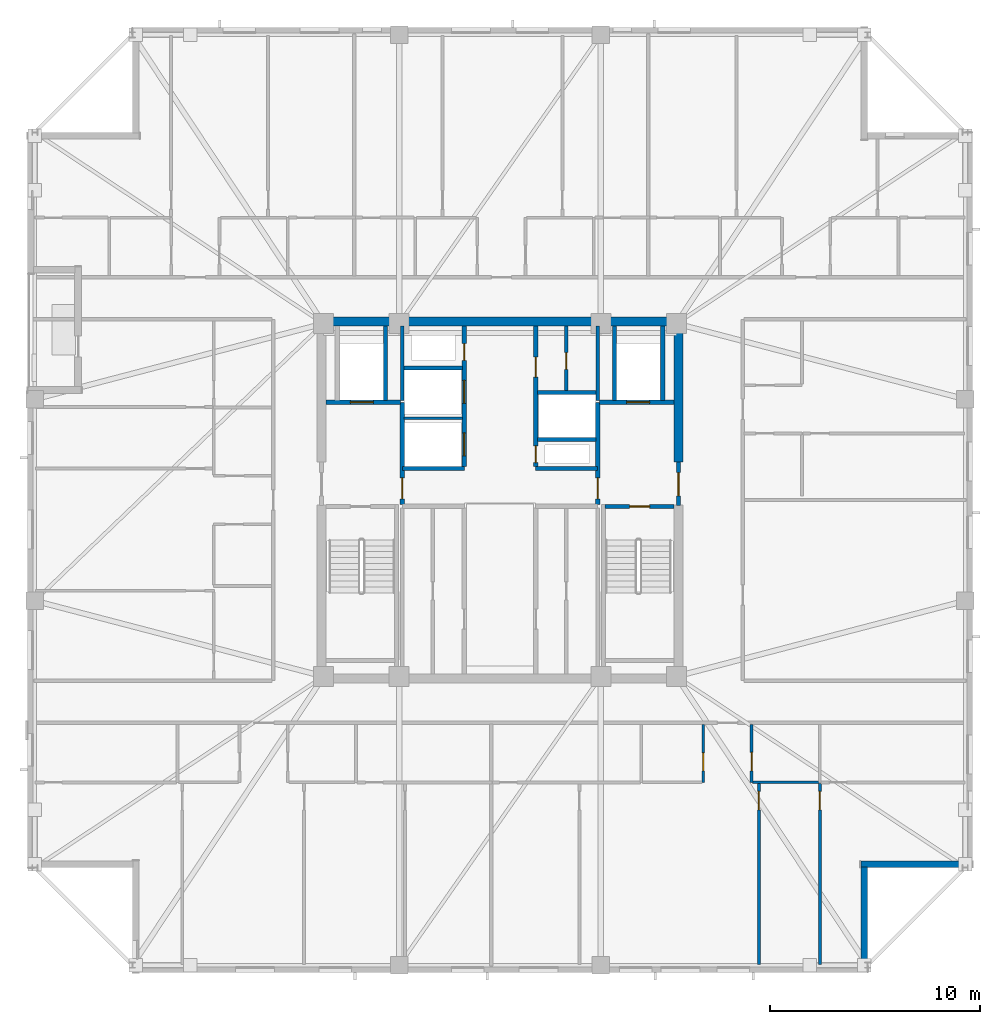
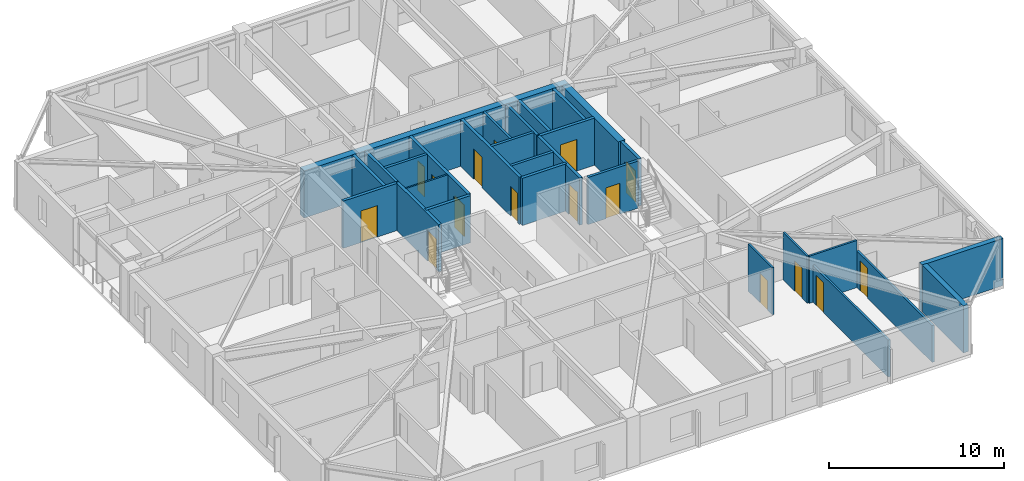
# One storey, part 9 of 17: 29 walls, 16 doors, 16 openings.
"""IFC4 building model written with IfcOpenShell, lengths in metres."""

from ifc_helpers import new_model, si_unit, direction, frame, frame_2d, origin, place, context, subcontext, project, spatial, rectangle, extrude, material, layer, layer_set, type_object, element, fill, save


model = new_model("IFC4")

# Units and contexts
model_context = context("Model", 3, precision=1e-05, world=origin(), true_north=direction((0.0, 1.0)))
body_context = subcontext(model_context, "Body", "Model", "MODEL_VIEW")
ifc_project = project(units=[si_unit("LENGTHUNIT", "METRE"), si_unit("AREAUNIT", "SQUARE_METRE"), si_unit("VOLUMEUNIT", "CUBIC_METRE"), si_unit("PLANEANGLEUNIT", "RADIAN"), si_unit("MASSUNIT", "GRAM", prefix="KILO")], contexts=[model_context])

# Site, building, storey
site_placement = place(None, origin())
site = spatial("IfcSite", under=ifc_project, at=site_placement, CompositionType="ELEMENT")
building_placement = place(site_placement, origin())
building = spatial("IfcBuilding", under=site, at=building_placement, Name="Cairnveth Concourse Tower", CompositionType="ELEMENT")
storey_placement = place(building_placement, frame((0.0, 0.0, 227.0)))
storey = spatial("IfcBuildingStorey", under=building, at=storey_placement, Name="L62", CompositionType="ELEMENT", Elevation=227.0)

# Wall, opening, door
ifc_material_1 = material(Name="Gypsum Plasterboard Partition", Category="gypsum")
ifc_layer_1 = layer(ifc_material_1, 0.159912109375)
ifc_layer_set_1 = layer_set([ifc_layer_1], Name="Gypsum Plasterboard Partition")
wall_type_1 = type_object("IfcWallType", Name="ACOUSTIC PARTY WALL 180", PredefinedType="PARTITIONING", material=ifc_layer_set_1)
wall_1_placement = place(storey_placement, frame((55.14990234375, 44.195068359375, 0.0), z_axis=(0.0, 0.0, 1.0), x_axis=(0.0, 1.0, 0.0)))
wall_1 = element("IfcWall", 1, at=wall_1_placement, inside=storey, type_object=wall_type_1, Name="Interior Wall IW-L62-035", PredefinedType="PARTITIONING", context=body_context, shape_type="SweptSolid", body=[
    extrude(rectangle(XDim=3.094970703125, YDim=0.159912109375, at=frame_2d((1.54736328125, 0.0))), origin(), (0.0, 0.0, 1.0), 3.2900390625),
])
opening_1_placement = place(wall_1_placement, frame((1.02490234375, 0.0, 0.0)))
opening_1 = element("IfcOpeningElement", 2, at=opening_1_placement, cuts=wall_1, Name="Opening ID23", PredefinedType="OPENING", context=body_context, shape_type="SweptSolid", body=[
    extrude(rectangle(XDim=0.800048828125, YDim=2.10009765625, at=frame_2d((0.39990234375, 1.050048828125))), frame((0.0, 0.08984375, 0.0), z_axis=(0.0, -1.0, 0.0), x_axis=(1.0, 0.0, 0.0)), (0.0, 0.0, 1.0), 0.179931640625),
])
ifc_material_2 = material(Name="Steel Grade 350", Category="steel")
door_type_1 = type_object("IfcDoorType", Name="CORE SERVICE DOOR 800X2100", OperationType="NOTDEFINED", PredefinedType="DOOR", material=ifc_material_2)
door_1_placement = place(opening_1_placement, origin())
door_1 = element("IfcDoor", 3, at=door_1_placement, inside=storey, type_object=door_type_1, Name="NE Linen Closet Door L62", OperationType="SINGLE_SWING_RIGHT", OverallHeight=2.10009765625, OverallWidth=0.800048828125, PredefinedType="DOOR", context=body_context, shape_type="SweptSolid", body=[
    extrude(rectangle(XDim=0.800048828125, YDim=2.10009765625, at=frame_2d((0.39990234375, 1.050048828125))), frame((0.0, 0.02490234375, 0.0), z_axis=(0.0, -1.0, 0.0), x_axis=(1.0, 0.0, 0.0)), (0.0, 0.0, 1.0), 0.050048828125),
])
fill(opening_1, door_1)

# Walls
ifc_material_3 = material(Name="Concrete N65 (65 MPa)", Category="concrete")
ifc_layer_2 = layer(ifc_material_3, 0.449951171875)
ifc_layer_set_2 = layer_set([ifc_layer_2], Name="Concrete N65 (65 MPa)")
wall_type_2 = type_object("IfcWallType", Name="CORE SHEAR WALL 450", PredefinedType="SHEAR", material=ifc_layer_set_2)
wall_2_placement = place(storey_placement, frame((43.27490234375, 47.5, 0.0), z_axis=(0.0, 0.0, 1.0), x_axis=(1.0, 0.0, 0.0)))
element("IfcWall", 4, at=wall_2_placement, inside=storey, type_object=wall_type_2, Name="Core North Shear Wall L62", PredefinedType="SHEAR", context=body_context, shape_type="SweptSolid", body=[
    extrude(rectangle(XDim=17.4501953125, YDim=0.449951171875, at=frame_2d((8.72509765625, 0.0))), origin(), (0.0, 0.0, 1.0), 3.2900390625),
])
wall_3_placement = place(storey_placement, frame((60.5, 40.800048828125, 0.0), z_axis=(0.0, 0.0, 1.0), x_axis=(0.0, 1.0, 0.0)))
element("IfcWall", 5, at=wall_3_placement, inside=storey, type_object=wall_type_2, Name="Core East Shear Wall N L62", PredefinedType="SHEAR", context=body_context, shape_type="SweptSolid", body=[
    extrude(rectangle(XDim=6.48486328125, YDim=0.449951171875, at=frame_2d((3.242431640625, 0.0))), origin(), (0.0, 0.0, 1.0), 3.2900390625),
])
ifc_material_4 = material(Name="Concrete N50 (50 MPa)", Category="concrete")
ifc_layer_3 = layer(ifc_material_4, 0.179931640625)
ifc_layer_set_3 = layer_set([ifc_layer_3], Name="Concrete N50 (50 MPa)")
wall_type_3 = type_object("IfcWallType", Name="FIRE SHAFT WALL 180", PredefinedType="SOLIDWALL", material=ifc_layer_set_3)
wall_4_placement = place(storey_placement, frame((47.35009765625, 43.735107421875, 0.0), z_axis=(0.0, 0.0, 1.0), x_axis=(0.0, 1.0, 0.0)))
element("IfcWall", 6, at=wall_4_placement, inside=storey, type_object=wall_type_3, Name="Interior Wall IW-L62-029", PredefinedType="SOLIDWALL", context=body_context, shape_type="SweptSolid", body=[
    extrude(rectangle(XDim=3.554931640625, YDim=0.179931640625, at=frame_2d((1.77734375, 0.0))), origin(), (0.0, 0.0, 1.0), 3.2900390625),
])
wall_5_placement = place(storey_placement, frame((47.425048828125, 45.280029296875, 0.0), z_axis=(0.0, 0.0, 1.0), x_axis=(1.0, 0.0, 0.0)))
element("IfcWall", 7, at=wall_5_placement, inside=storey, type_object=wall_type_3, Name="Interior Wall IW-L62-031", PredefinedType="SOLIDWALL", context=body_context, shape_type="SweptSolid", body=[
    extrude(rectangle(XDim=2.7900390625, YDim=0.179931640625, at=frame_2d((1.39501953125, 0.0))), origin(), (0.0, 0.0, 1.0), 3.2900390625),
])
wall_6_placement = place(storey_placement, frame((56.64990234375, 43.735107421875, 0.0), z_axis=(0.0, 0.0, 1.0), x_axis=(0.0, 1.0, 0.0)))
element("IfcWall", 8, at=wall_6_placement, inside=storey, type_object=wall_type_3, Name="Interior Wall IW-L62-032", PredefinedType="SOLIDWALL", context=body_context, shape_type="SweptSolid", body=[
    extrude(rectangle(XDim=3.554931640625, YDim=0.179931640625, at=frame_2d((1.77734375, 0.0))), origin(), (0.0, 0.0, 1.0), 3.2900390625),
])
wall_7_placement = place(storey_placement, frame((53.784912109375, 41.8798828125, 0.0), z_axis=(0.0, 0.0, 1.0), x_axis=(1.0, 0.0, 0.0)))
element("IfcWall", 9, at=wall_7_placement, inside=storey, type_object=wall_type_3, Name="Interior Wall IW-L62-033", PredefinedType="SOLIDWALL", context=body_context, shape_type="SweptSolid", body=[
    extrude(rectangle(XDim=2.780029296875, YDim=0.179931640625, at=frame_2d((1.39013671875, 0.0))), origin(), (0.0, 0.0, 1.0), 3.2900390625),
])
wall_8_placement = place(storey_placement, frame((53.784912109375, 44.1201171875, 0.0), z_axis=(0.0, 0.0, 1.0), x_axis=(1.0, 0.0, 0.0)))
element("IfcWall", 10, at=wall_8_placement, inside=storey, type_object=wall_type_3, Name="Interior Wall IW-L62-034", PredefinedType="SOLIDWALL", context=body_context, shape_type="SweptSolid", body=[
    extrude(rectangle(XDim=2.7900390625, YDim=0.179931640625, at=frame_2d((1.39501953125, 0.0))), origin(), (0.0, 0.0, 1.0), 3.2900390625),
])

# Wall, opening, door
wall_9_placement = place(storey_placement, frame((57.0048828125, 38.68994140625, 0.0), z_axis=(0.0, 0.0, 1.0), x_axis=(1.0, 0.0, 0.0)))
wall_9 = element("IfcWall", 11, at=wall_9_placement, inside=storey, type_object=wall_type_3, Name="Stair ST-2 Shaft Wall NEAR L62", PredefinedType="SOLIDWALL", context=body_context, shape_type="SweptSolid", body=[
    extrude(rectangle(XDim=3.280029296875, YDim=0.179931640625, at=frame_2d((1.64013671875, 0.0))), origin(), (0.0, 0.0, 1.0), 3.2900390625),
])
opening_2_placement = place(wall_9_placement, frame((1.1650390625, 0.0, 0.0)))
opening_2 = element("IfcOpeningElement", 12, at=opening_2_placement, cuts=wall_9, Name="Opening ID12", PredefinedType="OPENING", context=body_context, shape_type="SweptSolid", body=[
    extrude(rectangle(XDim=0.949951171875, YDim=2.14990234375, at=frame_2d((0.47509765625, 1.074951171875))), frame((0.0, 0.099853515625, 0.0), z_axis=(0.0, -1.0, 0.0), x_axis=(1.0, 0.0, 0.0)), (0.0, 0.0, 1.0), 0.199951171875),
])
door_type_2 = type_object("IfcDoorType", Name="FIRE STAIR DOOR 950X2150", OperationType="NOTDEFINED", PredefinedType="DOOR", material=ifc_material_2)
door_2_placement = place(opening_2_placement, origin())
door_2 = element("IfcDoor", 13, at=door_2_placement, inside=storey, type_object=door_type_2, Name="Stair ST-2 Fire Door L62", OperationType="SINGLE_SWING_RIGHT", OverallHeight=2.14990234375, OverallWidth=0.949951171875, PredefinedType="DOOR", context=body_context, shape_type="SweptSolid", body=[
    extrude(rectangle(XDim=0.949951171875, YDim=2.14990234375, at=frame_2d((0.47509765625, 1.074951171875))), frame((0.0, 0.02490234375, 0.0), z_axis=(0.0, -1.0, 0.0), x_axis=(1.0, 0.0, 0.0)), (0.0, 0.0, 1.0), 0.050048828125),
])
fill(opening_2, door_2)

# Walls
ifc_layer_4 = layer(ifc_material_4, 0.199951171875)
ifc_layer_set_4 = layer_set([ifc_layer_4], Name="Concrete N50 (50 MPa)")
wall_type_4 = type_object("IfcWallType", Name="FIRE SHAFT WALL 200", PredefinedType="SOLIDWALL", material=ifc_layer_set_4)
for number, where, z_axis, x_axis, name in (
    (14, (47.35009765625, 40.5, 0.0), (0.0, 0.0, 1.0), (1.0, 0.0, 0.0), "Interior Wall IW-L62-008"),
    (15, (53.699951171875, 40.5, 0.0), (0.0, 0.0, 1.0), (1.0, 0.0, 0.0), "Interior Wall IW-L62-010"),
):
    element("IfcWall", number, at=place(storey_placement, frame(where, z_axis=z_axis, x_axis=x_axis)), inside=storey, type_object=wall_type_4, Name=name, PredefinedType="SOLIDWALL", context=body_context, shape_type="SweptSolid", body=[
        extrude(rectangle(XDim=2.949951171875, YDim=0.199951171875, at=frame_2d((1.47509765625, 0.0))), origin(), (0.0, 0.0, 1.0), 3.2900390625),
    ])

# Wall, openings, doors
wall_10_placement = place(storey_placement, frame((50.300048828125, 40.5849609375, 0.0), z_axis=(0.0, 0.0, 1.0), x_axis=(0.0, 1.0, 0.0)))
wall_10 = element("IfcWall", 16, at=wall_10_placement, inside=storey, type_object=wall_type_4, Name="Interior Wall IW-L62-013", PredefinedType="SOLIDWALL", context=body_context, shape_type="SweptSolid", body=[
    extrude(rectangle(XDim=6.705078125, YDim=0.199951171875, at=frame_2d((3.3525390625, 0.0))), origin(), (0.0, 0.0, 1.0), 3.2900390625),
])
opening_3_placement = place(wall_10_placement, frame((0.514892578125, 0.0, 0.0)))
opening_3 = element("IfcOpeningElement", 17, at=opening_3_placement, cuts=wall_10, Name="Opening LD-1", PredefinedType="OPENING", context=body_context, shape_type="SweptSolid", body=[
    extrude(rectangle(XDim=1.10009765625, YDim=2.199951171875, at=frame_2d((0.550048828125, 1.10009765625))), frame((0.0, 0.10986328125, 0.0), z_axis=(0.0, -1.0, 0.0), x_axis=(1.0, 0.0, 0.0)), (0.0, 0.0, 1.0), 0.219970703125),
])
opening_4_placement = place(wall_10_placement, frame((3.014892578125, 0.0, 0.0)))
opening_4 = element("IfcOpeningElement", 18, at=opening_4_placement, cuts=wall_10, Name="Opening LD-1", PredefinedType="OPENING", context=body_context, shape_type="SweptSolid", body=[
    extrude(rectangle(XDim=1.10009765625, YDim=2.199951171875, at=frame_2d((0.550048828125, 1.10009765625))), frame((0.0, 0.10986328125, 0.0), z_axis=(0.0, -1.0, 0.0), x_axis=(1.0, 0.0, 0.0)), (0.0, 0.0, 1.0), 0.219970703125),
])
opening_5_placement = place(wall_10_placement, frame((5.06494140625, 0.0, 0.0)))
opening_5 = element("IfcOpeningElement", 19, at=opening_5_placement, cuts=wall_10, Name="Opening ID24", PredefinedType="OPENING", context=body_context, shape_type="SweptSolid", body=[
    extrude(rectangle(XDim=0.800048828125, YDim=2.080078125, at=frame_2d((0.39990234375, 1.0400390625))), frame((0.0, 0.10986328125, 0.0), z_axis=(0.0, -1.0, 0.0), x_axis=(1.0, 0.0, 0.0)), (0.0, 0.0, 1.0), 0.219970703125),
])
ifc_material_5 = material(Name="Architectural Bronze Anodised Aluminium 6063-T6", Category="aluminium")
door_type_3 = type_object("IfcDoorType", Name="LIFT LANDING DOOR 1100X2200", OperationType="SLIDING_TO_LEFT", PredefinedType="DOOR", material=ifc_material_5)
door_3_placement = place(opening_3_placement, origin())
door_3 = element("IfcDoor", 20, at=door_3_placement, inside=storey, type_object=door_type_3, Name="Lift PL7 Landing Door L62", OperationType="SLIDING_TO_LEFT", OverallHeight=2.199951171875, OverallWidth=1.10009765625, PredefinedType="DOOR", context=body_context, shape_type="SweptSolid", body=[
    extrude(rectangle(XDim=1.10009765625, YDim=2.199951171875, at=frame_2d((0.550048828125, 1.10009765625))), frame((0.0, 0.02490234375, 0.0), z_axis=(0.0, -1.0, 0.0), x_axis=(1.0, 0.0, 0.0)), (0.0, 0.0, 1.0), 0.050048828125),
])
fill(opening_3, door_3)
door_4_placement = place(opening_4_placement, origin())
door_4 = element("IfcDoor", 21, at=door_4_placement, inside=storey, type_object=door_type_3, Name="Lift PL8 Landing Door L62", OperationType="SLIDING_TO_LEFT", OverallHeight=2.199951171875, OverallWidth=1.10009765625, PredefinedType="DOOR", context=body_context, shape_type="SweptSolid", body=[
    extrude(rectangle(XDim=1.10009765625, YDim=2.199951171875, at=frame_2d((0.550048828125, 1.10009765625))), frame((0.0, 0.02490234375, 0.0), z_axis=(0.0, -1.0, 0.0), x_axis=(1.0, 0.0, 0.0)), (0.0, 0.0, 1.0), 0.050048828125),
])
fill(opening_4, door_4)
door_type_4 = type_object("IfcDoorType", Name="RISER ACCESS DOOR 800X2100", OperationType="NOTDEFINED", PredefinedType="DOOR", material=ifc_material_2)
door_5_placement = place(opening_5_placement, origin())
door_5 = element("IfcDoor", 22, at=door_5_placement, inside=storey, type_object=door_type_4, Name="NW Electrical Riser Access Door L62", OperationType="SINGLE_SWING_LEFT", OverallHeight=2.080078125, OverallWidth=0.800048828125, PredefinedType="DOOR", context=body_context, shape_type="SweptSolid", body=[
    extrude(rectangle(XDim=0.800048828125, YDim=2.080078125, at=frame_2d((0.39990234375, 1.0400390625))), frame((0.0, 0.02490234375, 0.0), z_axis=(0.0, -1.0, 0.0), x_axis=(1.0, 0.0, 0.0)), (0.0, 0.0, 1.0), 0.050048828125),
])
fill(opening_5, door_5)

wall_11_placement = place(storey_placement, frame((53.699951171875, 40.5849609375, 0.0), z_axis=(0.0, 0.0, 1.0), x_axis=(0.0, 1.0, 0.0)))
wall_11 = element("IfcWall", 23, at=wall_11_placement, inside=storey, type_object=wall_type_4, Name="Interior Wall IW-L62-014", PredefinedType="SOLIDWALL", context=body_context, shape_type="SweptSolid", body=[
    extrude(rectangle(XDim=6.705078125, YDim=0.199951171875, at=frame_2d((3.3525390625, 0.0))), origin(), (0.0, 0.0, 1.0), 3.2900390625),
])
opening_6_placement = place(wall_11_placement, frame((0.195068359375, 0.0, 0.0)))
opening_6 = element("IfcOpeningElement", 24, at=opening_6_placement, cuts=wall_11, Name="Opening ID24", PredefinedType="OPENING", context=body_context, shape_type="SweptSolid", body=[
    extrude(rectangle(XDim=0.800048828125, YDim=2.080078125, at=frame_2d((0.39990234375, 1.0400390625))), frame((0.0, 0.10986328125, 0.0), z_axis=(0.0, -1.0, 0.0), x_axis=(1.0, 0.0, 0.0)), (0.0, 0.0, 1.0), 0.219970703125),
])
opening_7_placement = place(wall_11_placement, frame((4.264892578125, 0.0, 0.0)))
opening_7 = element("IfcOpeningElement", 25, at=opening_7_placement, cuts=wall_11, Name="Opening ID25", PredefinedType="OPENING", context=body_context, shape_type="SweptSolid", body=[
    extrude(rectangle(XDim=0.949951171875, YDim=2.1201171875, at=frame_2d((0.47509765625, 1.06005859375))), frame((0.0, 0.10986328125, 0.0), z_axis=(0.0, -1.0, 0.0), x_axis=(1.0, 0.0, 0.0)), (0.0, 0.0, 1.0), 0.219970703125),
])
door_type_5 = type_object("IfcDoorType", Name="CORE ACCESSIBLE FIRE DOOR 950X2120", OperationType="NOTDEFINED", PredefinedType="DOOR", material=ifc_material_2)
door_6_placement = place(opening_7_placement, origin())
door_6 = element("IfcDoor", 26, at=door_6_placement, inside=storey, type_object=door_type_5, Name="Core NE Restroom Door L62", OperationType="SINGLE_SWING_LEFT", OverallHeight=2.1201171875, OverallWidth=0.949951171875, PredefinedType="DOOR", context=body_context, shape_type="SweptSolid", body=[
    extrude(rectangle(XDim=0.949951171875, YDim=2.1201171875, at=frame_2d((0.47509765625, 1.06005859375))), frame((0.0, 0.02490234375, 0.0), z_axis=(0.0, -1.0, 0.0), x_axis=(1.0, 0.0, 0.0)), (0.0, 0.0, 1.0), 0.050048828125),
])
fill(opening_7, door_6)
door_7_placement = place(opening_6_placement, origin())
door_7 = element("IfcDoor", 27, at=door_7_placement, inside=storey, type_object=door_type_4, Name="Hydraulic Riser Door L62", OperationType="SINGLE_SWING_RIGHT", OverallHeight=2.080078125, OverallWidth=0.800048828125, PredefinedType="DOOR", context=body_context, shape_type="SweptSolid", body=[
    extrude(rectangle(XDim=0.800048828125, YDim=2.080078125, at=frame_2d((0.39990234375, 1.0400390625))), frame((0.0, 0.02490234375, 0.0), z_axis=(0.0, -1.0, 0.0), x_axis=(1.0, 0.0, 0.0)), (0.0, 0.0, 1.0), 0.050048828125),
])
fill(opening_6, door_7)

# Wall, opening, door
wall_12_placement = place(storey_placement, frame((47.35009765625, 38.784912109375, 0.0), z_axis=(0.0, 0.0, 1.0), x_axis=(0.0, 1.0, 0.0)))
wall_12 = element("IfcWall", 28, at=wall_12_placement, inside=storey, type_object=wall_type_4, Name="Interior Wall IW-L62-016", PredefinedType="SOLIDWALL", context=body_context, shape_type="SweptSolid", body=[
    extrude(rectangle(XDim=4.864990234375, YDim=0.199951171875, at=frame_2d((2.4326171875, 0.0))), origin(), (0.0, 0.0, 1.0), 3.2900390625),
])
opening_8_placement = place(wall_12_placement, frame((0.264892578125, 0.0, 0.0)))
opening_8 = element("IfcOpeningElement", 29, at=opening_8_placement, cuts=wall_12, Name="Opening ID07", PredefinedType="OPENING", context=body_context, shape_type="SweptSolid", body=[
    extrude(rectangle(XDim=1.0, YDim=2.14990234375, at=frame_2d((0.5, 1.074951171875))), frame((0.0, 0.10986328125, 0.0), z_axis=(0.0, -1.0, 0.0), x_axis=(1.0, 0.0, 0.0)), (0.0, 0.0, 1.0), 0.219970703125),
])
door_type_6 = type_object("IfcDoorType", Name="FIRE CORRIDOR DOOR 1000X2150", OperationType="NOTDEFINED", PredefinedType="DOOR", material=ifc_material_2)
door_8_placement = place(opening_8_placement, origin())
door_8 = element("IfcDoor", 30, at=door_8_placement, inside=storey, type_object=door_type_6, Name="FF Lobby West to Lift Lobby Door L62", OperationType="SINGLE_SWING_RIGHT", OverallHeight=2.14990234375, OverallWidth=1.0, PredefinedType="DOOR", context=body_context, shape_type="SweptSolid", body=[
    extrude(rectangle(XDim=1.0, YDim=2.14990234375, at=frame_2d((0.5, 1.074951171875))), frame((0.0, 0.02490234375, 0.0), z_axis=(0.0, -1.0, 0.0), x_axis=(1.0, 0.0, 0.0)), (0.0, 0.0, 1.0), 0.050048828125),
])
fill(opening_8, door_8)

wall_13_placement = place(storey_placement, frame((43.7099609375, 43.64990234375, 0.0), z_axis=(0.0, 0.0, 1.0), x_axis=(1.0, 0.0, 0.0)))
wall_13 = element("IfcWall", 31, at=wall_13_placement, inside=storey, type_object=wall_type_4, Name="Interior Wall IW-L62-017", PredefinedType="SOLIDWALL", context=body_context, shape_type="SweptSolid", body=[
    extrude(rectangle(XDim=3.554931640625, YDim=0.199951171875, at=frame_2d((1.77734375, 0.0))), origin(), (0.0, 0.0, 1.0), 3.2900390625),
])
opening_9_placement = place(wall_13_placement, frame((1.159912109375, 0.0, 0.0)))
opening_9 = element("IfcOpeningElement", 32, at=opening_9_placement, cuts=wall_13, Name="Opening LD-1", PredefinedType="OPENING", context=body_context, shape_type="SweptSolid", body=[
    extrude(rectangle(XDim=1.10009765625, YDim=2.199951171875, at=frame_2d((0.550048828125, 1.10009765625))), frame((0.0, 0.10986328125, 0.0), z_axis=(0.0, -1.0, 0.0), x_axis=(1.0, 0.0, 0.0)), (0.0, 0.0, 1.0), 0.219970703125),
])
door_9_placement = place(opening_9_placement, origin())
door_9 = element("IfcDoor", 33, at=door_9_placement, inside=storey, type_object=door_type_3, Name="Lift FFL1 Landing Door L62", OperationType="SLIDING_TO_LEFT", OverallHeight=2.199951171875, OverallWidth=1.10009765625, PredefinedType="DOOR", context=body_context, shape_type="SweptSolid", body=[
    extrude(rectangle(XDim=1.10009765625, YDim=2.199951171875, at=frame_2d((0.550048828125, 1.10009765625))), frame((0.0, 0.02490234375, 0.0), z_axis=(0.0, -1.0, 0.0), x_axis=(1.0, 0.0, 0.0)), (0.0, 0.0, 1.0), 0.050048828125),
])
fill(opening_9, door_9)

# Wall
wall_14_placement = place(storey_placement, frame((46.550048828125, 43.735107421875, 0.0), z_axis=(0.0, 0.0, 1.0), x_axis=(0.0, 1.0, 0.0)))
element("IfcWall", 34, at=wall_14_placement, inside=storey, type_object=wall_type_4, Name="Interior Wall IW-L62-018", PredefinedType="SOLIDWALL", context=body_context, shape_type="SweptSolid", body=[
    extrude(rectangle(XDim=3.554931640625, YDim=0.199951171875, at=frame_2d((1.77734375, 0.0))), origin(), (0.0, 0.0, 1.0), 3.2900390625),
])

# Wall, opening, door
wall_15_placement = place(storey_placement, frame((60.5, 38.75, 0.0), z_axis=(0.0, 0.0, 1.0), x_axis=(0.0, 1.0, 0.0)))
wall_15 = element("IfcWall", 35, at=wall_15_placement, inside=storey, type_object=wall_type_4, Name="Interior Wall IW-L62-020", PredefinedType="SOLIDWALL", context=body_context, shape_type="SweptSolid", body=[
    extrude(rectangle(XDim=2.050048828125, YDim=0.199951171875, at=frame_2d((1.02490234375, 0.0))), origin(), (0.0, 0.0, 1.0), 3.2900390625),
])
opening_10_placement = place(wall_15_placement, frame((0.449951171875, 0.0, 0.0)))
opening_10 = element("IfcOpeningElement", 36, at=opening_10_placement, cuts=wall_15, Name="Opening ID06", PredefinedType="OPENING", context=body_context, shape_type="SweptSolid", body=[
    extrude(rectangle(XDim=1.10009765625, YDim=2.14990234375, at=frame_2d((0.550048828125, 1.074951171875))), frame((0.0, 0.10986328125, 0.0), z_axis=(0.0, -1.0, 0.0), x_axis=(1.0, 0.0, 0.0)), (0.0, 0.0, 1.0), 0.219970703125),
])
door_type_7 = type_object("IfcDoorType", Name="FIRE CORRIDOR DOOR 1100X2150", OperationType="NOTDEFINED", PredefinedType="DOOR", material=ifc_material_2)
door_10_placement = place(opening_10_placement, origin())
door_10 = element("IfcDoor", 37, at=door_10_placement, inside=storey, type_object=door_type_7, Name="East Wing to FF Lobby Door L62", OperationType="SINGLE_SWING_RIGHT", OverallHeight=2.14990234375, OverallWidth=1.10009765625, PredefinedType="DOOR", context=body_context, shape_type="SweptSolid", body=[
    extrude(rectangle(XDim=1.10009765625, YDim=2.14990234375, at=frame_2d((0.550048828125, 1.074951171875))), frame((0.0, 0.02490234375, 0.0), z_axis=(0.0, -1.0, 0.0), x_axis=(1.0, 0.0, 0.0)), (0.0, 0.0, 1.0), 0.050048828125),
])
fill(opening_10, door_10)

wall_16_placement = place(storey_placement, frame((56.64990234375, 38.784912109375, 0.0), z_axis=(0.0, 0.0, 1.0), x_axis=(0.0, 1.0, 0.0)))
wall_16 = element("IfcWall", 38, at=wall_16_placement, inside=storey, type_object=wall_type_4, Name="Interior Wall IW-L62-021", PredefinedType="SOLIDWALL", context=body_context, shape_type="SweptSolid", body=[
    extrude(rectangle(XDim=4.864990234375, YDim=0.199951171875, at=frame_2d((2.4326171875, 0.0))), origin(), (0.0, 0.0, 1.0), 3.2900390625),
])
opening_11_placement = place(wall_16_placement, frame((0.264892578125, 0.0, 0.0)))
opening_11 = element("IfcOpeningElement", 39, at=opening_11_placement, cuts=wall_16, Name="Opening ID07", PredefinedType="OPENING", context=body_context, shape_type="SweptSolid", body=[
    extrude(rectangle(XDim=1.0, YDim=2.14990234375, at=frame_2d((0.5, 1.074951171875))), frame((0.0, 0.10986328125, 0.0), z_axis=(0.0, -1.0, 0.0), x_axis=(1.0, 0.0, 0.0)), (0.0, 0.0, 1.0), 0.219970703125),
])
door_11_placement = place(opening_11_placement, origin())
door_11 = element("IfcDoor", 40, at=door_11_placement, inside=storey, type_object=door_type_6, Name="FF Lobby East to Lift Lobby Door L62", OperationType="SINGLE_SWING_LEFT", OverallHeight=2.14990234375, OverallWidth=1.0, PredefinedType="DOOR", context=body_context, shape_type="SweptSolid", body=[
    extrude(rectangle(XDim=1.0, YDim=2.14990234375, at=frame_2d((0.5, 1.074951171875))), frame((0.0, 0.02490234375, 0.0), z_axis=(0.0, -1.0, 0.0), x_axis=(1.0, 0.0, 0.0)), (0.0, 0.0, 1.0), 0.050048828125),
])
fill(opening_11, door_11)

wall_17_placement = place(storey_placement, frame((56.735107421875, 43.64990234375, 0.0), z_axis=(0.0, 0.0, 1.0), x_axis=(1.0, 0.0, 0.0)))
wall_17 = element("IfcWall", 41, at=wall_17_placement, inside=storey, type_object=wall_type_4, Name="Interior Wall IW-L62-022", PredefinedType="SOLIDWALL", context=body_context, shape_type="SweptSolid", body=[
    extrude(rectangle(XDim=3.554931640625, YDim=0.199951171875, at=frame_2d((1.77734375, 0.0))), origin(), (0.0, 0.0, 1.0), 3.2900390625),
])
opening_12_placement = place(wall_17_placement, frame((1.294921875, 0.0, 0.0)))
opening_12 = element("IfcOpeningElement", 42, at=opening_12_placement, cuts=wall_17, Name="Opening LD-1", PredefinedType="OPENING", context=body_context, shape_type="SweptSolid", body=[
    extrude(rectangle(XDim=1.10009765625, YDim=2.199951171875, at=frame_2d((0.550048828125, 1.10009765625))), frame((0.0, 0.10986328125, 0.0), z_axis=(0.0, -1.0, 0.0), x_axis=(1.0, 0.0, 0.0)), (0.0, 0.0, 1.0), 0.219970703125),
])
door_12_placement = place(opening_12_placement, origin())
door_12 = element("IfcDoor", 43, at=door_12_placement, inside=storey, type_object=door_type_3, Name="Lift FFL2 Landing Door L62", OperationType="SLIDING_TO_LEFT", OverallHeight=2.199951171875, OverallWidth=1.10009765625, PredefinedType="DOOR", context=body_context, shape_type="SweptSolid", body=[
    extrude(rectangle(XDim=1.10009765625, YDim=2.199951171875, at=frame_2d((0.550048828125, 1.10009765625))), frame((0.0, 0.02490234375, 0.0), z_axis=(0.0, -1.0, 0.0), x_axis=(1.0, 0.0, 0.0)), (0.0, 0.0, 1.0), 0.050048828125),
])
fill(opening_12, door_12)

# Walls
for number, where, z_axis, x_axis, name in (
    (44, (57.449951171875, 43.735107421875, 0.0), (0.0, 0.0, 1.0), (0.0, 1.0, 0.0), "Interior Wall IW-L62-023"),
    (45, (59.75, 43.735107421875, 0.0), (0.0, 0.0, 1.0), (0.0, 1.0, 0.0), "Interior Wall IW-L62-024"),
):
    element("IfcWall", number, at=place(storey_placement, frame(where, z_axis=z_axis, x_axis=x_axis)), inside=storey, type_object=wall_type_4, Name=name, PredefinedType="SOLIDWALL", context=body_context, shape_type="SweptSolid", body=[
        extrude(rectangle(XDim=3.554931640625, YDim=0.199951171875, at=frame_2d((1.77734375, 0.0))), origin(), (0.0, 0.0, 1.0), 3.2900390625),
    ])

# Wall, opening, door
ifc_layer_5 = layer(ifc_material_1, 0.139892578125)
ifc_layer_set_5 = layer_set([ifc_layer_5], Name="Gypsum Plasterboard Partition")
wall_type_5 = type_object("IfcWallType", Name="GYPSUM STUD PARTITION 140", PredefinedType="PARTITIONING", material=ifc_layer_set_5)
wall_18_placement = place(storey_placement, frame((67.22998046875, 16.8798828125, 0.0), z_axis=(0.0, 0.0, 1.0), x_axis=(0.0, 1.0, 0.0)))
wall_18 = element("IfcWall", 46, at=wall_18_placement, inside=storey, type_object=wall_type_5, Name="Interior Wall IW-L62-064", PredefinedType="PARTITIONING", context=body_context, shape_type="SweptSolid", body=[
    extrude(rectangle(XDim=8.627685546875, YDim=0.139892578125, at=frame_2d((4.31396484375, 0.0))), origin(), (0.0, 0.0, 1.0), 2.572998046875),
])
opening_13_placement = place(wall_18_placement, frame((7.367431640625, 0.0, 0.0)))
opening_13 = element("IfcOpeningElement", 47, at=opening_13_placement, cuts=wall_18, Name="Opening ID18", PredefinedType="OPENING", context=body_context, shape_type="SweptSolid", body=[
    extrude(rectangle(XDim=0.8798828125, YDim=2.10009765625, at=frame_2d((0.43994140625, 1.050048828125))), frame((0.0, 0.079833984375, 0.0), z_axis=(0.0, -1.0, 0.0), x_axis=(1.0, 0.0, 0.0)), (0.0, 0.0, 1.0), 0.159912109375),
])
ifc_material_6 = material(Name="Solid Core Hardwood Timber Leaf", Category="wood")
door_type_8 = type_object("IfcDoorType", Name="INTERIOR SINGLE DOOR 880X2100", OperationType="NOTDEFINED", PredefinedType="DOOR", material=ifc_material_6)
door_13_placement = place(opening_13_placement, origin())
door_13 = element("IfcDoor", 48, at=door_13_placement, inside=storey, type_object=door_type_8, Name="L62S2 Bedroom 2 Door", OperationType="SINGLE_SWING_RIGHT", OverallHeight=2.10009765625, OverallWidth=0.8798828125, PredefinedType="DOOR", context=body_context, shape_type="SweptSolid", body=[
    extrude(rectangle(XDim=0.8798828125, YDim=2.10009765625, at=frame_2d((0.43994140625, 1.050048828125))), frame((0.0, 0.02490234375, 0.0), z_axis=(0.0, -1.0, 0.0), x_axis=(1.0, 0.0, 0.0)), (0.0, 0.0, 1.0), 0.050048828125),
])
fill(opening_13, door_13)

wall_19_placement = place(storey_placement, frame((64.32861328125, 16.8798828125, 0.0), z_axis=(0.0, 0.0, 1.0), x_axis=(0.0, 1.0, 0.0)))
wall_19 = element("IfcWall", 49, at=wall_19_placement, inside=storey, type_object=wall_type_5, Name="Interior Wall IW-L62-066", PredefinedType="PARTITIONING", context=body_context, shape_type="SweptSolid", body=[
    extrude(rectangle(XDim=8.627685546875, YDim=0.139892578125, at=frame_2d((4.31396484375, 0.0))), origin(), (0.0, 0.0, 1.0), 2.572998046875),
])
opening_14_placement = place(wall_19_placement, frame((7.367431640625, 0.0, 0.0)))
opening_14 = element("IfcOpeningElement", 50, at=opening_14_placement, cuts=wall_19, Name="Opening ID18", PredefinedType="OPENING", context=body_context, shape_type="SweptSolid", body=[
    extrude(rectangle(XDim=0.8798828125, YDim=2.10009765625, at=frame_2d((0.43994140625, 1.050048828125))), frame((0.0, 0.079833984375, 0.0), z_axis=(0.0, -1.0, 0.0), x_axis=(1.0, 0.0, 0.0)), (0.0, 0.0, 1.0), 0.159912109375),
])
door_14_placement = place(opening_14_placement, origin())
door_14 = element("IfcDoor", 51, at=door_14_placement, inside=storey, type_object=door_type_8, Name="L62S2 Media Lounge Door", OperationType="SINGLE_SWING_LEFT", OverallHeight=2.10009765625, OverallWidth=0.8798828125, PredefinedType="DOOR", context=body_context, shape_type="SweptSolid", body=[
    extrude(rectangle(XDim=0.8798828125, YDim=2.10009765625, at=frame_2d((0.43994140625, 1.050048828125))), frame((0.0, 0.02490234375, 0.0), z_axis=(0.0, -1.0, 0.0), x_axis=(1.0, 0.0, 0.0)), (0.0, 0.0, 1.0), 0.050048828125),
])
fill(opening_14, door_14)

# Wall
ifc_layer_6 = layer(ifc_material_1, 0.110107421875)
ifc_layer_set_6 = layer_set([ifc_layer_6], Name="Gypsum Plasterboard Partition")
wall_type_6 = type_object("IfcWallType", Name="SHAFT DIVIDER WALL 140", PredefinedType="PARTITIONING", material=ifc_layer_set_6)
wall_20_placement = place(storey_placement, frame((47.43505859375, 42.89990234375, 0.0), z_axis=(0.0, 0.0, 1.0), x_axis=(1.0, 0.0, 0.0)))
element("IfcWall", 52, at=wall_20_placement, inside=storey, type_object=wall_type_6, Name="Interior Wall IW-L62-030", PredefinedType="PARTITIONING", context=body_context, shape_type="SweptSolid", body=[
    extrude(rectangle(XDim=2.780029296875, YDim=0.110107421875, at=frame_2d((1.39013671875, 0.0))), origin(), (0.0, 0.0, 1.0), 3.2900390625),
])

# Wall, opening, door
ifc_layer_7 = layer(ifc_material_1, 0.1298828125)
ifc_layer_set_7 = layer_set([ifc_layer_7], Name="Gypsum Plasterboard Partition")
wall_type_7 = type_object("IfcWallType", Name="WET AREA PARTITION 140", PredefinedType="PLUMBINGWALL", material=ifc_layer_set_7)
wall_21_placement = place(storey_placement, frame((61.6787109375, 25.5576171875, 0.0), z_axis=(0.0, 0.0, 1.0), x_axis=(0.0, 1.0, 0.0)))
wall_21 = element("IfcWall", 53, at=wall_21_placement, inside=storey, type_object=wall_type_7, Name="Interior Wall IW-L62-057", PredefinedType="PLUMBINGWALL", context=body_context, shape_type="SweptSolid", body=[
    extrude(rectangle(XDim=2.75, YDim=0.1298828125, at=frame_2d((1.375, 0.0))), origin(), (0.0, 0.0, 1.0), 3.2900390625),
])
opening_15_placement = place(wall_21_placement, frame((0.550048828125, 0.0, 0.0)))
opening_15 = element("IfcOpeningElement", 54, at=opening_15_placement, cuts=wall_21, Name="Opening ID21", PredefinedType="OPENING", context=body_context, shape_type="SweptSolid", body=[
    extrude(rectangle(XDim=0.85009765625, YDim=2.080078125, at=frame_2d((0.425048828125, 1.0400390625))), frame((0.0, 0.074951171875, 0.0), z_axis=(0.0, -1.0, 0.0), x_axis=(1.0, 0.0, 0.0)), (0.0, 0.0, 1.0), 0.14990234375),
])
door_type_9 = type_object("IfcDoorType", Name="INTERIOR WC DOOR 850X2100", OperationType="NOTDEFINED", PredefinedType="DOOR", material=ifc_material_6)
door_15_placement = place(opening_15_placement, origin())
door_15 = element("IfcDoor", 55, at=door_15_placement, inside=storey, type_object=door_type_9, Name="L62S2 Bathroom Door", OperationType="SINGLE_SWING_LEFT", OverallHeight=2.080078125, OverallWidth=0.85009765625, PredefinedType="DOOR", context=body_context, shape_type="SweptSolid", body=[
    extrude(rectangle(XDim=0.85009765625, YDim=2.080078125, at=frame_2d((0.425048828125, 1.0400390625))), frame((0.0, 0.02490234375, 0.0), z_axis=(0.0, -1.0, 0.0), x_axis=(1.0, 0.0, 0.0)), (0.0, 0.0, 1.0), 0.050048828125),
])
fill(opening_15, door_15)

wall_22_placement = place(storey_placement, frame((63.978759765625, 25.5576171875, 0.0), z_axis=(0.0, 0.0, 1.0), x_axis=(0.0, 1.0, 0.0)))
wall_22 = element("IfcWall", 56, at=wall_22_placement, inside=storey, type_object=wall_type_7, Name="Interior Wall IW-L62-060", PredefinedType="PLUMBINGWALL", context=body_context, shape_type="SweptSolid", body=[
    extrude(rectangle(XDim=2.75, YDim=0.1298828125, at=frame_2d((1.375, 0.0))), origin(), (0.0, 0.0, 1.0), 3.2900390625),
])
opening_16_placement = place(wall_22_placement, frame((0.550048828125, 0.0, 0.0)))
opening_16 = element("IfcOpeningElement", 57, at=opening_16_placement, cuts=wall_22, Name="Opening ID18", PredefinedType="OPENING", context=body_context, shape_type="SweptSolid", body=[
    extrude(rectangle(XDim=0.8798828125, YDim=2.10009765625, at=frame_2d((0.43994140625, 1.050048828125))), frame((0.0, 0.074951171875, 0.0), z_axis=(0.0, -1.0, 0.0), x_axis=(1.0, 0.0, 0.0)), (0.0, 0.0, 1.0), 0.14990234375),
])
door_16_placement = place(opening_16_placement, origin())
door_16 = element("IfcDoor", 58, at=door_16_placement, inside=storey, type_object=door_type_8, Name="L62S2 Kitchen Door", OperationType="SINGLE_SWING_RIGHT", OverallHeight=2.10009765625, OverallWidth=0.8798828125, PredefinedType="DOOR", context=body_context, shape_type="SweptSolid", body=[
    extrude(rectangle(XDim=0.8798828125, YDim=2.10009765625, at=frame_2d((0.43994140625, 1.050048828125))), frame((0.0, 0.02490234375, 0.0), z_axis=(0.0, -1.0, 0.0), x_axis=(1.0, 0.0, 0.0)), (0.0, 0.0, 1.0), 0.050048828125),
])
fill(opening_16, door_16)

# Walls
wall_23_placement = place(storey_placement, frame((64.02880859375, 25.5576171875, 0.0), z_axis=(0.0, 0.0, 1.0), x_axis=(1.0, 0.0, 0.0)))
element("IfcWall", 59, at=wall_23_placement, inside=storey, type_object=wall_type_7, Name="Interior Wall IW-L62-061", PredefinedType="PLUMBINGWALL", context=body_context, shape_type="SweptSolid", body=[
    extrude(rectangle(XDim=3.14990234375, YDim=0.1298828125, at=frame_2d((1.574951171875, 0.0))), origin(), (0.0, 0.0, 1.0), 3.2900390625),
])
ifc_material_7 = material(Name="Melbourne Buff Fired Clay Brick Masonry", Category="masonry")
ifc_layer_8 = layer(ifc_material_7, 0.320068359375)
ifc_layer_set_8 = layer_set([ifc_layer_8], Name="Melbourne Buff Fired Clay Brick Masonry")
wall_type_8 = type_object("IfcWallType", Name="ZONE 3 BRICK PIER SPANDREL WALL 320", PredefinedType="SOLIDWALL", material=ifc_layer_set_8)
wall_24_placement = place(storey_placement, frame((74.5, 21.659912109375, 0.0), z_axis=(0.0, 0.0, 1.0), x_axis=(-1.0, 0.0, 0.0)))
element("IfcWall", 60, at=wall_24_placement, inside=storey, type_object=wall_type_8, Name="Exterior Wall EW-L62-S07", PredefinedType="SOLIDWALL", context=body_context, shape_type="SweptSolid", body=[
    extrude(rectangle(XDim=5.320068359375, YDim=0.320068359375, at=frame_2d((2.66015625, 0.0))), origin(), (0.0, 0.0, 1.0), 3.2900390625),
])
wall_25_placement = place(storey_placement, frame((69.340087890625, 21.52197265625, 0.0), z_axis=(0.0, 0.0, 1.0), x_axis=(0.0, -1.0, 0.0)))
element("IfcWall", 61, at=wall_25_placement, inside=storey, type_object=wall_type_8, Name="Exterior Wall EW-L62-S08", PredefinedType="SOLIDWALL", context=body_context, shape_type="SweptSolid", body=[
    extrude(rectangle(XDim=4.723876953125, YDim=0.320068359375, at=frame_2d((2.36181640625, 0.0))), origin(), (0.0, 0.0, 1.0), 3.2900390625),
])

save(model, "model.ifc")
